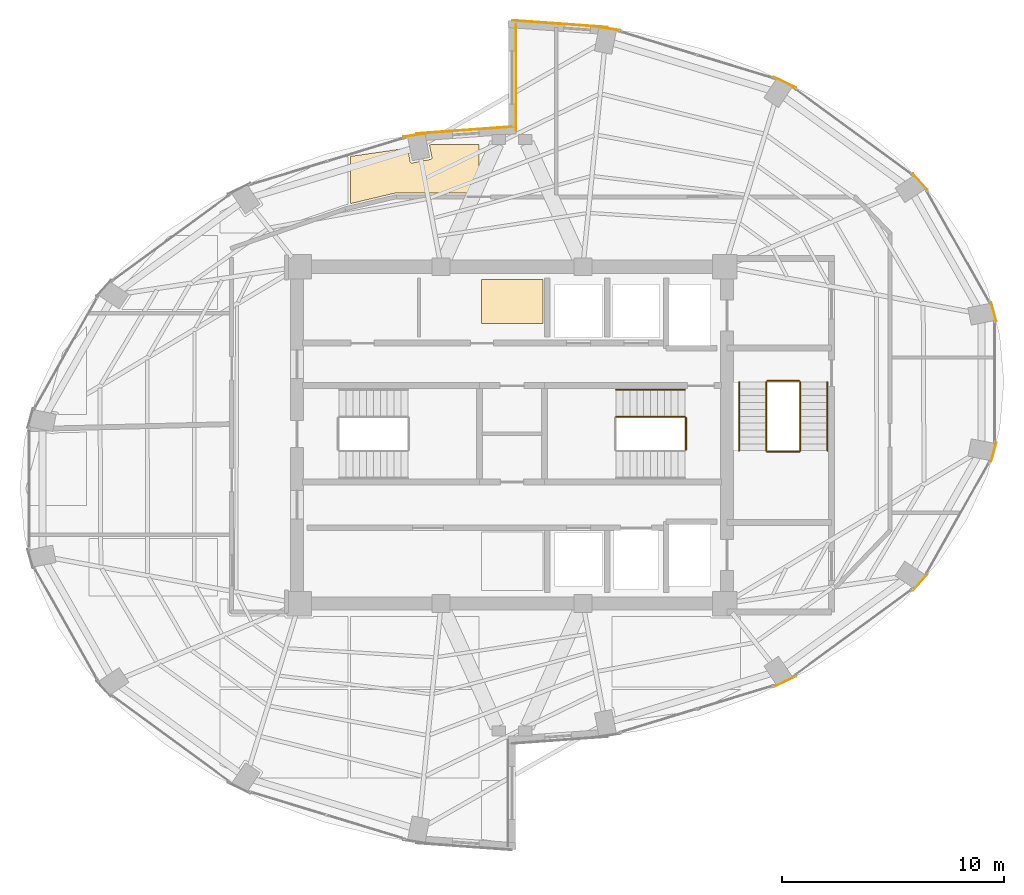
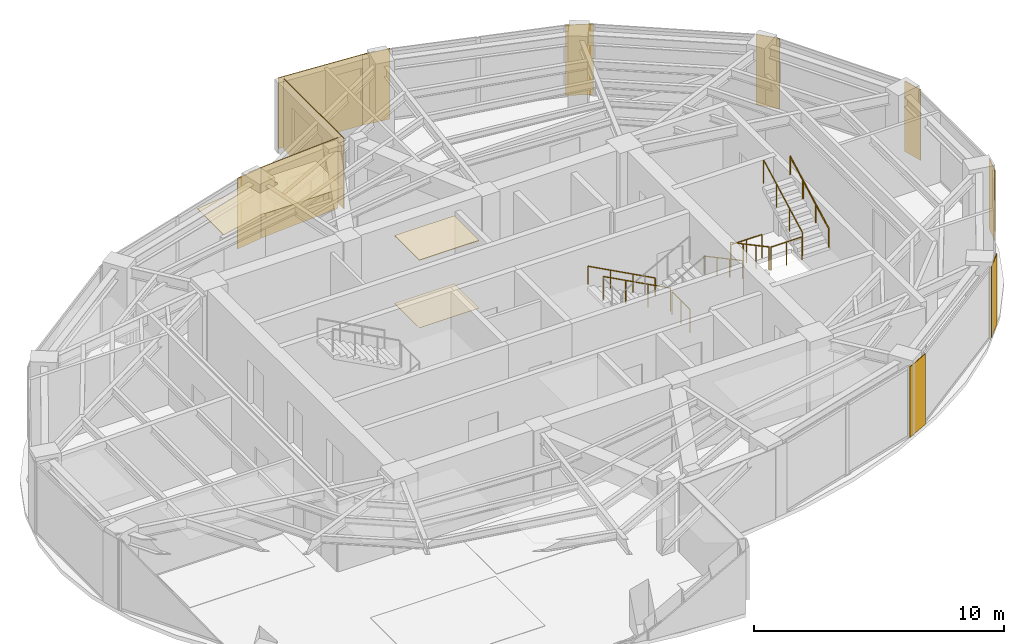
# One storey, part 22 of 22: 14 coverings, 9 railings.
"""IFC4 building model written with IfcOpenShell, lengths in metres."""

from ifc_helpers import new_model, si_unit, direction, frame, origin, origin_2d, place, context, subcontext, project, spatial, polyline, rectangle, circle, outline, extrude, material, layer, layer_set, type_object, element, save


model = new_model("IFC4")

# Units and contexts
model_context = context("Model", 3, precision=1e-05, world=origin(), true_north=direction((0.0, 1.0)))
body_context = subcontext(model_context, "Body", "Model", "MODEL_VIEW")
ifc_project = project(units=[si_unit("LENGTHUNIT", "METRE"), si_unit("AREAUNIT", "SQUARE_METRE"), si_unit("VOLUMEUNIT", "CUBIC_METRE"), si_unit("PLANEANGLEUNIT", "RADIAN"), si_unit("MASSUNIT", "GRAM", prefix="KILO")], contexts=[model_context])

# Site, building, storey
site_placement = place(None, origin())
site = spatial("IfcSite", under=ifc_project, at=site_placement, CompositionType="ELEMENT")
building_placement = place(site_placement, origin())
building = spatial("IfcBuilding", under=site, at=building_placement, Name="Lazwardi Medical Tower", CompositionType="ELEMENT")
storey_placement = place(building_placement, frame((0.0, 0.0, 227.6640625)))
storey = spatial("IfcBuildingStorey", under=building, at=storey_placement, Name="L59", CompositionType="ELEMENT", Elevation=227.6640625)

# Coverings
ifc_material_1 = material(Name="Anodised bronze aluminium cassette cladding", Category="aluminium")
ifc_layer_1 = layer(ifc_material_1, 0.030029296875)
ifc_layer_set_1 = layer_set([ifc_layer_1], Name="Anodised bronze aluminium cassette cladding")
covering_type_1 = type_object("IfcCoveringType", Name="COV-CLD-BRZ", PredefinedType="CLADDING", material=ifc_layer_set_1)
covering_1_placement = place(storey_placement, frame((48.311279296875, 16.878662109375, 0.0), z_axis=(0.0, 0.0, 1.0), x_axis=(0.897840141691, 0.440321564278, 0.0)))
element("IfcCovering", 1, at=covering_1_placement, inside=storey, type_object=covering_type_1, Name="L59 Mega-column bronze cassette cover M02", PredefinedType="CLADDING", context=body_context, shape_type="SweptSolid", body=[
    extrude(rectangle(XDim=1.110595703125, YDim=0.030029296875, at=origin_2d()), origin(), (0.0, 0.0, 1.0), 3.447998046875),
])
covering_2_placement = place(storey_placement, frame((54.42529296875, 21.365234375, 0.0), z_axis=(0.0, 0.0, 1.0), x_axis=(0.673240970654, 0.739423150458, 0.0)))
element("IfcCovering", 2, at=covering_2_placement, inside=storey, type_object=covering_type_1, Name="L59 Mega-column bronze cassette cover M03", PredefinedType="CLADDING", context=body_context, shape_type="SweptSolid", body=[
    extrude(rectangle(XDim=0.98974609375, YDim=0.030029296875, at=origin_2d()), origin(), (0.0, 0.0, 1.0), 3.447998046875),
])
for number, where, z_axis, x_axis, name in (
    (3, (57.734130859375, 27.227294921875, 0.0), (0.0, 0.0, 1.0), (0.261641748247, 0.96516506131, 0.0), "L59 Mega-column bronze cassette cover M04"),
    (4, (57.734130859375, 33.572509765625, 0.0), (0.0, 0.0, 1.0), (-0.261641748247, 0.96516506131, 0.0), "L59 Mega-column bronze cassette cover M05"),
):
    element("IfcCovering", number, at=place(storey_placement, frame(where, z_axis=z_axis, x_axis=x_axis)), inside=storey, type_object=covering_type_1, Name=name, PredefinedType="CLADDING", context=body_context, shape_type="SweptSolid", body=[
        extrude(rectangle(XDim=0.894287109375, YDim=0.030029296875, at=origin_2d()), origin(), (0.0, 0.0, 1.0), 3.447998046875),
    ])
covering_3_placement = place(storey_placement, frame((54.42529296875, 39.434814453125, 0.0), z_axis=(0.0, 0.0, 1.0), x_axis=(-0.673240970654, 0.739423150458, 0.0)))
element("IfcCovering", 5, at=covering_3_placement, inside=storey, type_object=covering_type_1, Name="L59 Mega-column bronze cassette cover M06", PredefinedType="CLADDING", context=body_context, shape_type="SweptSolid", body=[
    extrude(rectangle(XDim=0.98974609375, YDim=0.030029296875, at=origin_2d()), origin(), (0.0, 0.0, 1.0), 3.447998046875),
])
covering_4_placement = place(storey_placement, frame((48.311279296875, 43.92138671875, 0.0), z_axis=(0.0, 0.0, 1.0), x_axis=(-0.897840141691, 0.440321564278, 0.0)))
element("IfcCovering", 6, at=covering_4_placement, inside=storey, type_object=covering_type_1, Name="L59 Mega-column bronze cassette cover M07", PredefinedType="CLADDING", context=body_context, shape_type="SweptSolid", body=[
    extrude(rectangle(XDim=1.110595703125, YDim=0.030029296875, at=origin_2d()), origin(), (0.0, 0.0, 1.0), 3.447998046875),
])
for number, where, z_axis, x_axis, name in (
    (7, (40.3232421875, 46.349609375, 0.0), (0.0, 0.0, 1.0), (-0.989512431533, 0.144447733943, 0.0), "L59 Mega-column bronze cassette cover M08"),
    (8, (31.6767578125, 41.549560546875, 0.0), (0.0, 0.0, 1.0), (-0.989512431533, -0.144447733943, 0.0), "L59 Mega-column bronze cassette cover M09"),
):
    element("IfcCovering", number, at=place(storey_placement, frame(where, z_axis=z_axis, x_axis=x_axis)), inside=storey, type_object=covering_type_1, Name=name, PredefinedType="CLADDING", context=body_context, shape_type="SweptSolid", body=[
        extrude(rectangle(XDim=1.188720703125, YDim=0.030029296875, at=origin_2d()), origin(), (0.0, 0.0, 1.0), 3.447998046875),
    ])
ifc_material_2 = material(Name="Turquoise glazed ceramic tilework cladding", Category="masonry")
ifc_layer_2 = layer(ifc_material_2, 0.034912109375)
ifc_layer_set_2 = layer_set([ifc_layer_2], Name="Turquoise glazed ceramic tilework cladding")
covering_type_2 = type_object("IfcCoveringType", Name="COV-CLD-TRQ", PredefinedType="CLADDING", material=ifc_layer_set_2)
covering_5_placement = place(storey_placement, frame((38.16259765625, 46.56005859375, 0.0), z_axis=(0.0, 0.0, 1.0), x_axis=(-0.997409491337, 0.071932653157, 0.0)))
element("IfcCovering", 9, at=covering_5_placement, inside=storey, type_object=covering_type_2, Name="L59 Turquoise glazed ceramic tilework cladding", PredefinedType="CLADDING", context=body_context, shape_type="SweptSolid", body=[
    extrude(rectangle(XDim=4.31103515625, YDim=0.034912109375, at=origin_2d()), origin(), (0.0, 0.0, 1.0), 3.447998046875),
])
covering_6_placement = place(storey_placement, frame((33.83740234375, 41.760009765625, 0.0), z_axis=(0.0, 0.0, 1.0), x_axis=(-0.997408989128, -0.071939616387, 0.0)))
element("IfcCovering", 10, at=covering_6_placement, inside=storey, type_object=covering_type_2, Name="L59 Turquoise glazed ceramic tilework cladding", PredefinedType="CLADDING", context=body_context, shape_type="SweptSolid", body=[
    extrude(rectangle(XDim=4.310546875, YDim=0.034912109375, at=origin_2d()), origin(), (0.0, 0.0, 1.0), 3.447998046875),
])
covering_7_placement = place(storey_placement, frame((36.175537109375, 44.139892578125, 0.0), z_axis=(0.0, 0.0, 1.0), x_axis=(0.0, -1.0, 0.0)))
element("IfcCovering", 11, at=covering_7_placement, inside=storey, type_object=covering_type_2, Name="L59 Turquoise glazed ceramic tilework iwan panel", PredefinedType="CLADDING", context=body_context, shape_type="SweptSolid", body=[
    extrude(rectangle(XDim=4.800048828125, YDim=0.034912109375, at=origin_2d()), origin(), (0.0, 0.0, 1.0), 3.447998046875),
])
ifc_material_3 = material(Name="Acoustic mineral fibre tile")
ifc_layer_3 = layer(ifc_material_3, 0.02490234375)
ifc_layer_set_3 = layer_set([ifc_layer_3], Name="Acoustic mineral fibre tile")
covering_type_3 = type_object("IfcCoveringType", Name="COV-CLG-01", PredefinedType="CEILING", material=ifc_layer_set_3)
covering_8_placement = place(storey_placement, frame((0.0, 0.0, 3.302978515625)))
element("IfcCovering", 12, at=covering_8_placement, inside=storey, type_object=covering_type_3, Name="L59 Clinical Acoustic Ceiling 6", PredefinedType="CEILING", context=body_context, shape_type="SweptSolid", body=[
    extrude(outline(polyline([(32.383544921875, 41.112548828125), (32.276123046875, 41.096923828125), (32.3876953125, 40.536865234375), (32.388671875, 40.529052734375), (32.38916015625, 40.521240234375), (32.388671875, 40.513427734375), (32.3876953125, 40.505615234375), (32.3857421875, 40.498046875), (32.383056640625, 40.490478515625), (32.379638671875, 40.4833984375), (32.37548828125, 40.476806640625), (32.370849609375, 40.470458984375), (32.36572265625, 40.464599609375), (32.35986328125, 40.45947265625), (32.353515625, 40.45458984375), (32.3466796875, 40.45068359375), (32.339599609375, 40.447265625), (32.332275390625, 40.444580078125), (32.32470703125, 40.442626953125), (31.5009765625, 40.27880859375), (31.4931640625, 40.277587890625), (31.4853515625, 40.27734375), (31.4775390625, 40.277587890625), (31.4697265625, 40.27880859375), (31.462158203125, 40.28076171875), (31.45458984375, 40.283447265625), (31.447509765625, 40.28662109375), (31.44091796875, 40.290771484375), (31.4345703125, 40.29541015625), (31.4287109375, 40.30078125), (31.423583984375, 40.306396484375), (31.418701171875, 40.312744140625), (31.414794921875, 40.319580078125), (31.411376953125, 40.32666015625), (31.40869140625, 40.333984375), (31.40673828125, 40.341796875), (31.285400390625, 40.95263671875), (28.722900390625, 40.57958984375), (28.722900390625, 38.449462890625), (30.70947265625, 38.920166015625), (30.71337890625, 38.921142578125), (30.72412109375, 38.923095703125), (30.734375, 38.92431640625), (30.74560546875, 38.9248046875), (30.749755859375, 38.925048828125), (34.5029296875, 38.925048828125), (34.5029296875, 41.112548828125), (32.383544921875, 41.112548828125)])), origin(), (0.0, 0.0, 1.0), 0.02490234375),
])
covering_9_placement = place(storey_placement, frame((0.0, 0.0, 3.302978515625)))
element("IfcCovering", 13, at=covering_9_placement, inside=storey, type_object=covering_type_3, Name="L59 Clinical Acoustic Ceiling 9", PredefinedType="CEILING", context=body_context, shape_type="SweptSolid", body=[
    extrude(outline(polyline([(37.389892578125, 33.032470703125), (37.389892578125, 35.02001953125), (34.622802734375, 35.02001953125), (34.622802734375, 33.032470703125), (37.389892578125, 33.032470703125)])), origin(), (0.0, 0.0, 1.0), 0.02490234375),
])
ifc_material_4 = material(Name="Anti-static hospital vinyl sheet flooring")
ifc_layer_4 = layer(ifc_material_4, 0.014892578125)
ifc_layer_set_4 = layer_set([ifc_layer_4], Name="Anti-static hospital vinyl sheet flooring")
covering_type_4 = type_object("IfcCoveringType", Name="COV-FLR-01", PredefinedType="FLOORING", material=ifc_layer_set_4)
covering_10_placement = place(storey_placement, origin())
element("IfcCovering", 14, at=covering_10_placement, inside=storey, type_object=covering_type_4, Name="L59 Clinical Vinyl Flooring 9", PredefinedType="FLOORING", context=body_context, shape_type="SweptSolid", body=[
    extrude(outline(polyline([(37.389892578125, 33.032470703125), (37.389892578125, 35.02001953125), (34.622802734375, 35.02001953125), (34.622802734375, 33.032470703125), (37.389892578125, 33.032470703125)])), origin(), (0.0, 0.0, 1.0), 0.014892578125),
])

# Railings
ifc_material_5 = material(Name="Stainless steel Grade 316", Category="steel")
railing_type_1 = type_object("IfcRailingType", Name="RLG-GRD-1150", PredefinedType="GUARDRAIL", material=ifc_material_5)
railing_1_placement = place(storey_placement, frame((43.800048828125, 28.830078125, 0.165771484375)))
element("IfcRailing", 15, at=railing_1_placement, inside=storey, type_object=railing_type_1, Name="L59 ST2 stair guard 1", PredefinedType="GUARDRAIL", context=body_context, shape_type="SweptSolid", body=[
    extrude(circle(Radius=0.02392578125, at=origin_2d()), frame((0.0, 0.0, 1.1259765625), z_axis=(-0.881783298633, 0.0, 0.471654761719), x_axis=(0.0, -1.0, 0.0)), (0.0, 0.0, 1.0), 3.515625),
    extrude(circle(Radius=0.02099609375, at=origin_2d()), origin(), (0.0, 0.0, 1.0), 1.099853515625),
    extrude(circle(Radius=0.02099609375, at=origin_2d()), frame((-1.033447265625, 0.0, 0.552734375)), (0.0, 0.0, 1.0), 1.099853515625),
    extrude(circle(Radius=0.02099609375, at=origin_2d()), frame((-2.066650390625, 0.0, 1.10546875)), (0.0, 0.0, 1.0), 1.099853515625),
    extrude(circle(Radius=0.02099609375, at=origin_2d()), frame((-3.10009765625, 0.0, 1.658203125)), (0.0, 0.0, 1.0), 1.099853515625),
])
railing_2_placement = place(storey_placement, frame((43.85009765625, 28.780029296875, 0.0)))
element("IfcRailing", 16, at=railing_2_placement, inside=storey, type_object=railing_type_1, Name="L59 ST2 stair guard 4", PredefinedType="GUARDRAIL", context=body_context, shape_type="SweptSolid", body=[
    extrude(circle(Radius=0.02392578125, at=origin_2d()), frame((0.0, 0.0, 1.1259765625), z_axis=(0.0, -1.0, 0.0), x_axis=(1.0, 0.0, 0.0)), (0.0, 0.0, 1.0), 1.43994140625),
    extrude(circle(Radius=0.02099609375, at=origin_2d()), origin(), (0.0, 0.0, 1.0), 1.099853515625),
    extrude(circle(Radius=0.02099609375, at=origin_2d()), frame((0.0, -0.719970703125, 0.0)), (0.0, 0.0, 1.0), 1.099853515625),
    extrude(circle(Radius=0.02099609375, at=origin_2d()), frame((0.0, -1.43994140625, 0.0)), (0.0, 0.0, 1.0), 1.099853515625),
])
railing_3_placement = place(storey_placement, frame((47.469970703125, 30.39990234375, 0.165771484375)))
element("IfcRailing", 17, at=railing_3_placement, inside=storey, type_object=railing_type_1, Name="L59 ST3 stair guard 1", PredefinedType="GUARDRAIL", context=body_context, shape_type="SweptSolid", body=[
    extrude(circle(Radius=0.02392578125, at=origin_2d()), frame((0.0, 0.0, 1.1259765625), z_axis=(0.0, -0.881767849116, 0.471683644262), x_axis=(1.0, 0.0, 0.0)), (0.0, 0.0, 1.0), 3.515380859375),
    extrude(circle(Radius=0.02099609375, at=origin_2d()), origin(), (0.0, 0.0, 1.0), 1.099853515625),
    extrude(circle(Radius=0.02099609375, at=origin_2d()), frame((0.0, -1.033203125, 0.552734375)), (0.0, 0.0, 1.0), 1.099853515625),
    extrude(circle(Radius=0.02099609375, at=origin_2d()), frame((0.0, -2.066650390625, 1.10546875)), (0.0, 0.0, 1.0), 1.099853515625),
    extrude(circle(Radius=0.02099609375, at=origin_2d()), frame((0.0, -3.099853515625, 1.658203125)), (0.0, 0.0, 1.0), 1.099853515625),
])
railing_4_placement = place(storey_placement, frame((47.52001953125, 27.25, 1.823974609375)))
element("IfcRailing", 18, at=railing_4_placement, inside=storey, type_object=railing_type_1, Name="L59 ST3 stair guard 2", PredefinedType="GUARDRAIL", context=body_context, shape_type="SweptSolid", body=[
    extrude(circle(Radius=0.02392578125, at=origin_2d()), frame((0.0, 0.0, 1.1259765625), z_axis=(1.0, 0.0, 0.0), x_axis=(0.0, 1.0, 0.0)), (0.0, 0.0, 1.0), 1.43994140625),
    extrude(circle(Radius=0.02099609375, at=origin_2d()), origin(), (0.0, 0.0, 1.0), 1.099853515625),
    extrude(circle(Radius=0.02099609375, at=origin_2d()), frame((0.719970703125, 0.0, 0.0)), (0.0, 0.0, 1.0), 1.099853515625),
    extrude(circle(Radius=0.02099609375, at=origin_2d()), frame((1.43994140625, 0.0, 0.0)), (0.0, 0.0, 1.0), 1.099853515625),
])
railing_5_placement = place(storey_placement, frame((49.010009765625, 27.300048828125, 1.98974609375)))
element("IfcRailing", 19, at=railing_5_placement, inside=storey, type_object=railing_type_1, Name="L59 ST3 stair guard 3", PredefinedType="GUARDRAIL", context=body_context, shape_type="SweptSolid", body=[
    extrude(circle(Radius=0.02392578125, at=origin_2d()), frame((0.0, 0.0, 1.1259765625), z_axis=(0.0, 0.881767849116, 0.471683644262), x_axis=(-1.0, 0.0, 0.0)), (0.0, 0.0, 1.0), 3.515380859375),
    extrude(circle(Radius=0.02099609375, at=origin_2d()), origin(), (0.0, 0.0, 1.0), 1.099853515625),
    extrude(circle(Radius=0.02099609375, at=origin_2d()), frame((0.0, 1.033203125, 0.552734375)), (0.0, 0.0, 1.0), 1.099853515625),
    extrude(circle(Radius=0.02099609375, at=origin_2d()), frame((0.0, 2.066650390625, 1.10546875)), (0.0, 0.0, 1.0), 1.099853515625),
    extrude(circle(Radius=0.02099609375, at=origin_2d()), frame((0.0, 3.099853515625, 1.658203125)), (0.0, 0.0, 1.0), 1.099853515625),
])
railing_6_placement = place(storey_placement, frame((47.52001953125, 30.449951171875, 0.0)))
element("IfcRailing", 20, at=railing_6_placement, inside=storey, type_object=railing_type_1, Name="L59 ST3 stair guard 4", PredefinedType="GUARDRAIL", context=body_context, shape_type="SweptSolid", body=[
    extrude(circle(Radius=0.02392578125, at=origin_2d()), frame((0.0, 0.0, 1.1259765625), z_axis=(1.0, 0.0, 0.0), x_axis=(0.0, 1.0, 0.0)), (0.0, 0.0, 1.0), 1.43994140625),
    extrude(circle(Radius=0.02099609375, at=origin_2d()), origin(), (0.0, 0.0, 1.0), 1.099853515625),
    extrude(circle(Radius=0.02099609375, at=origin_2d()), frame((0.719970703125, 0.0, 0.0)), (0.0, 0.0, 1.0), 1.099853515625),
    extrude(circle(Radius=0.02099609375, at=origin_2d()), frame((1.43994140625, 0.0, 0.0)), (0.0, 0.0, 1.0), 1.099853515625),
])
railing_type_2 = type_object("IfcRailingType", Name="RLG-HND-920", PredefinedType="HANDRAIL", material=ifc_material_5)
railing_7_placement = place(storey_placement, frame((43.800048828125, 30.050048828125, 0.165771484375)))
element("IfcRailing", 21, at=railing_7_placement, inside=storey, type_object=railing_type_2, Name="L59 ST2 stair handrail 1", PredefinedType="HANDRAIL", context=body_context, shape_type="SweptSolid", body=[
    extrude(circle(Radius=0.02392578125, at=origin_2d()), frame((0.0, 0.0, 0.8857421875), z_axis=(-0.881783298633, 0.0, 0.471654761719), x_axis=(0.0, -1.0, 0.0)), (0.0, 0.0, 1.0), 3.515625),
    extrude(circle(Radius=0.02099609375, at=origin_2d()), origin(), (0.0, 0.0, 1.0), 0.85986328125),
    extrude(circle(Radius=0.02099609375, at=origin_2d()), frame((-1.033447265625, 0.0, 0.552734375)), (0.0, 0.0, 1.0), 0.85986328125),
    extrude(circle(Radius=0.02099609375, at=origin_2d()), frame((-2.066650390625, 0.0, 1.10546875)), (0.0, 0.0, 1.0), 0.85986328125),
    extrude(circle(Radius=0.02099609375, at=origin_2d()), frame((-3.10009765625, 0.0, 1.658203125)), (0.0, 0.0, 1.0), 0.85986328125),
])
railing_8_placement = place(storey_placement, frame((46.25, 30.39990234375, 0.165771484375)))
element("IfcRailing", 22, at=railing_8_placement, inside=storey, type_object=railing_type_2, Name="L59 ST3 stair handrail 1", PredefinedType="HANDRAIL", context=body_context, shape_type="SweptSolid", body=[
    extrude(circle(Radius=0.02392578125, at=origin_2d()), frame((0.0, 0.0, 0.8857421875), z_axis=(0.0, -0.881767849116, 0.471683644262), x_axis=(1.0, 0.0, 0.0)), (0.0, 0.0, 1.0), 3.515380859375),
    extrude(circle(Radius=0.02099609375, at=origin_2d()), origin(), (0.0, 0.0, 1.0), 0.85986328125),
    extrude(circle(Radius=0.02099609375, at=origin_2d()), frame((0.0, -1.033203125, 0.552734375)), (0.0, 0.0, 1.0), 0.85986328125),
    extrude(circle(Radius=0.02099609375, at=origin_2d()), frame((0.0, -2.066650390625, 1.10546875)), (0.0, 0.0, 1.0), 0.85986328125),
    extrude(circle(Radius=0.02099609375, at=origin_2d()), frame((0.0, -3.099853515625, 1.658203125)), (0.0, 0.0, 1.0), 0.85986328125),
])
railing_9_placement = place(storey_placement, frame((50.22998046875, 27.300048828125, 1.98974609375)))
element("IfcRailing", 23, at=railing_9_placement, inside=storey, type_object=railing_type_2, Name="L59 ST3 stair handrail 2", PredefinedType="HANDRAIL", context=body_context, shape_type="SweptSolid", body=[
    extrude(circle(Radius=0.02392578125, at=origin_2d()), frame((0.0, 0.0, 0.8857421875), z_axis=(0.0, 0.881767849116, 0.471683644262), x_axis=(-1.0, 0.0, 0.0)), (0.0, 0.0, 1.0), 3.515380859375),
    extrude(circle(Radius=0.02099609375, at=origin_2d()), origin(), (0.0, 0.0, 1.0), 0.85986328125),
    extrude(circle(Radius=0.02099609375, at=origin_2d()), frame((0.0, 1.033203125, 0.552734375)), (0.0, 0.0, 1.0), 0.85986328125),
    extrude(circle(Radius=0.02099609375, at=origin_2d()), frame((0.0, 2.066650390625, 1.10546875)), (0.0, 0.0, 1.0), 0.85986328125),
    extrude(circle(Radius=0.02099609375, at=origin_2d()), frame((0.0, 3.099853515625, 1.658203125)), (0.0, 0.0, 1.0), 0.85986328125),
])

save(model, "model.ifc")
